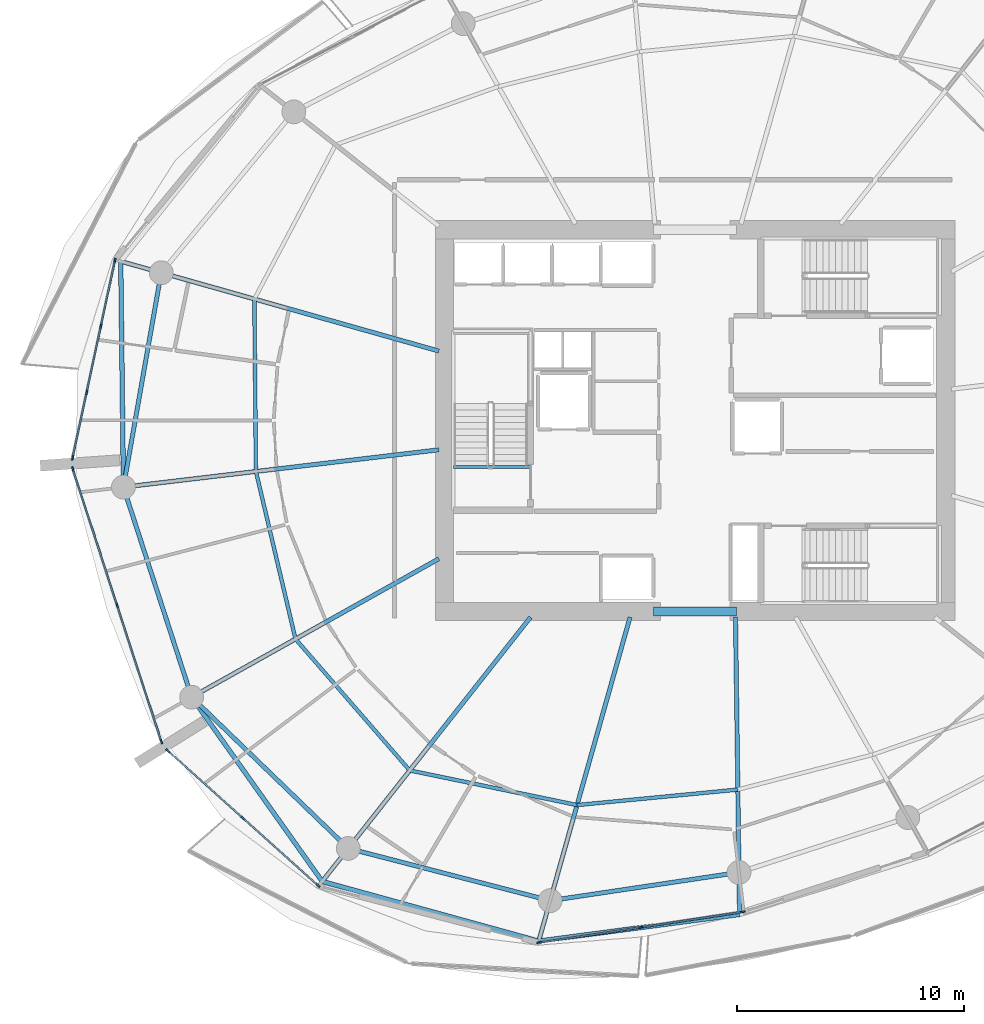
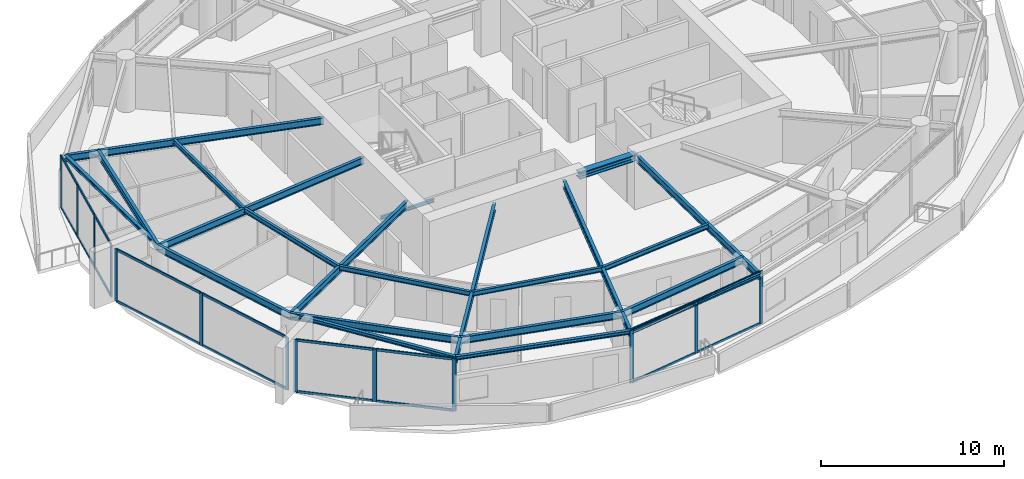
# One storey, part 5 of 20: 31 members, 22 beams, 4 elements without a shape of their own.
"""IFC4 building model written with IfcOpenShell, lengths in metres."""

from ifc_helpers import new_model, si_unit, direction, frame, origin, origin_2d, place, context, subcontext, project, spatial, rectangle, i_section, extrude, material, layer, layer_set, material_profile, profile_set, type_object, element, aggregate, save


model = new_model("IFC4")

# Units and contexts
model_context = context("Model", 3, precision=1e-05, world=origin(), true_north=direction((0.0, 1.0)))
body_context = subcontext(model_context, "Body", "Model", "MODEL_VIEW")
ifc_project = project(units=[si_unit("LENGTHUNIT", "METRE"), si_unit("AREAUNIT", "SQUARE_METRE"), si_unit("VOLUMEUNIT", "CUBIC_METRE"), si_unit("PLANEANGLEUNIT", "RADIAN"), si_unit("MASSUNIT", "GRAM", prefix="KILO")], contexts=[model_context])

# Site, building, storey
site_placement = place(None, origin())
site = spatial("IfcSite", under=ifc_project, at=site_placement, CompositionType="ELEMENT")
building_placement = place(site_placement, origin())
building = spatial("IfcBuilding", under=site, at=building_placement, Name="Kazma Halo Residences", CompositionType="ELEMENT")
storey_placement = place(building_placement, frame((0.0, 0.0, 131.550048828125)))
storey = spatial("IfcBuildingStorey", under=building, at=storey_placement, Name="L32", CompositionType="ELEMENT", Elevation=131.550048828125)

# Beams
ifc_material_1 = material(Name="Steel S355", Category="steel")
ifc_material_profile_1 = material_profile(ifc_material_1, i_section(OverallWidth=0.201904296875, OverallDepth=0.2470703125, WebThickness=0.00732421875, FlangeThickness=0.010986328125, FilletRadius=0.011962890625, at=origin_2d()), Name="W250x49.1")
ifc_profile_set_1 = profile_set([ifc_material_profile_1], Name="Steel S355")
beam_type_1 = type_object("IfcBeamType", Name="BM-BAL-CANT", PredefinedType="BEAM", material=ifc_profile_set_1)
beam_1_placement = place(storey_placement, frame((23.149658203125, 49.008544921875, 3.37646484375), z_axis=(0.011793371143, -0.99993045578, 0.0), x_axis=(0.99993045578, 0.011793371143, 0.0)))
element("IfcBeam", 1, at=beam_1_placement, inside=storey, type_object=beam_type_1, Name="L32 wave-balcony tie beam 07", PredefinedType="BEAM", context=body_context, shape_type="SweptSolid", body=[
    extrude(i_section(OverallWidth=0.201904296875, OverallDepth=0.2470703125, WebThickness=0.00732421875, FlangeThickness=0.010986328125, FilletRadius=0.011962890625, at=origin_2d()), origin(), (0.0, 0.0, 1.0), 9.936767578125),
])
beam_2_placement = place(storey_placement, frame((26.269775390625, 29.83056640625, 3.37646484375), z_axis=(0.578203432081, -0.81589263456, 0.0), x_axis=(0.81589263456, 0.578203432081, 0.0)))
element("IfcBeam", 2, at=beam_2_placement, inside=storey, type_object=beam_type_1, Name="L32 wave-balcony lead tie beam 09", PredefinedType="BEAM", context=body_context, shape_type="SweptSolid", body=[
    extrude(i_section(OverallWidth=0.201904296875, OverallDepth=0.2470703125, WebThickness=0.00732421875, FlangeThickness=0.010986328125, FilletRadius=0.011962890625, at=origin_2d()), origin(), (0.0, 0.0, 1.0), 9.9365234375),
])
beam_3_placement = place(storey_placement, frame((32.01513671875, 21.723388671875, 3.37646484375), z_axis=(0.964045237638, -0.265738179019, 0.0), x_axis=(0.265738179019, 0.964045237638, 0.0)))
element("IfcBeam", 3, at=beam_3_placement, inside=storey, type_object=beam_type_1, Name="L32 wave-balcony tie beam 10", PredefinedType="BEAM", context=body_context, shape_type="SweptSolid", body=[
    extrude(i_section(OverallWidth=0.201904296875, OverallDepth=0.2470703125, WebThickness=0.00732421875, FlangeThickness=0.010986328125, FilletRadius=0.011962890625, at=origin_2d()), origin(), (0.0, 0.0, 1.0), 9.880859375),
])
beam_4_placement = place(storey_placement, frame((41.540771484375, 19.09765625, 3.37646484375), z_axis=(0.991326402839, 0.13142284061, 0.0), x_axis=(-0.13142284061, 0.991326402839, 0.0)))
element("IfcBeam", 4, at=beam_4_placement, inside=storey, type_object=beam_type_1, Name="L32 wave-balcony tie beam 11", PredefinedType="BEAM", context=body_context, shape_type="SweptSolid", body=[
    extrude(i_section(OverallWidth=0.201904296875, OverallDepth=0.2470703125, WebThickness=0.00732421875, FlangeThickness=0.010986328125, FilletRadius=0.011962890625, at=origin_2d()), origin(), (0.0, 0.0, 1.0), 8.9150390625),
])
ifc_material_profile_2 = material_profile(ifc_material_1, i_section(OverallWidth=0.408935546875, OverallDepth=0.425048828125, WebThickness=0.03271484375, FlangeThickness=0.052490234375, FilletRadius=0.02001953125, at=origin_2d()), Name="W360x421")
ifc_profile_set_2 = profile_set([ifc_material_profile_2], Name="Steel S355")
beam_type_2 = type_object("IfcBeamType", Name="BM-CORE-W360H", PredefinedType="BEAM", material=ifc_profile_set_2)
beam_5_placement = place(storey_placement, frame((46.60009765625, 33.60009765625, 3.287353515625), z_axis=(1.0, 0.0, 0.0), x_axis=(0.0, 1.0, 0.0)))
element("IfcBeam", 5, at=beam_5_placement, inside=storey, type_object=beam_type_2, Name="L32 core coupling beam S", PredefinedType="BEAM", context=body_context, shape_type="SweptSolid", body=[
    extrude(i_section(OverallWidth=0.408935546875, OverallDepth=0.425048828125, WebThickness=0.03271484375, FlangeThickness=0.052490234375, FilletRadius=0.02001953125, at=origin_2d()), origin(), (0.0, 0.0, 1.0), 3.64990234375),
])
ifc_material_profile_3 = material_profile(ifc_material_1, i_section(OverallWidth=0.18994140625, OverallDepth=0.45703125, WebThickness=0.009033203125, FlangeThickness=0.014404296875, FilletRadius=0.01611328125, at=origin_2d()), Name="W460x74")
ifc_profile_set_3 = profile_set([ifc_material_profile_3], Name="Steel S355")
beam_type_3 = type_object("IfcBeamType", Name="BM-RAD-W460", PredefinedType="BEAM", material=ifc_profile_set_3)
beam_6_placement = place(storey_placement, frame((37.14990234375, 45.06005859375, 3.271484375), z_axis=(-0.962455072712, 0.271441030447, 0.0), x_axis=(-0.271441030447, -0.962455072712, 0.0)))
element("IfcBeam", 6, at=beam_6_placement, inside=storey, type_object=beam_type_3, Name="L32 radial floor beam 07", PredefinedType="BEAM", context=body_context, shape_type="SweptSolid", body=[
    extrude(i_section(OverallWidth=0.18994140625, OverallDepth=0.45703125, WebThickness=0.009033203125, FlangeThickness=0.014404296875, FilletRadius=0.01611328125, at=origin_2d()), origin(), (0.0, 0.0, 1.0), 14.54638671875),
])
beam_7_placement = place(storey_placement, frame((37.14990234375, 40.7158203125, 3.271484375), z_axis=(-0.993067267044, -0.117547450531, 0.0), x_axis=(0.117547450531, -0.993067267044, 0.0)))
element("IfcBeam", 7, at=beam_7_placement, inside=storey, type_object=beam_type_3, Name="L32 radial floor beam 08", PredefinedType="BEAM", context=body_context, shape_type="SweptSolid", body=[
    extrude(i_section(OverallWidth=0.18994140625, OverallDepth=0.45703125, WebThickness=0.009033203125, FlangeThickness=0.014404296875, FilletRadius=0.01611328125, at=origin_2d()), origin(), (0.0, 0.0, 1.0), 13.97998046875),
])
beam_8_placement = place(storey_placement, frame((37.14990234375, 35.923583984375, 3.271484375), z_axis=(-0.87250100809, -0.488612311431, 0.0), x_axis=(0.488612311431, -0.87250100809, 0.0)))
element("IfcBeam", 8, at=beam_8_placement, inside=storey, type_object=beam_type_3, Name="L32 radial floor beam 09", PredefinedType="BEAM", context=body_context, shape_type="SweptSolid", body=[
    extrude(i_section(OverallWidth=0.18994140625, OverallDepth=0.45703125, WebThickness=0.009033203125, FlangeThickness=0.014404296875, FilletRadius=0.01611328125, at=origin_2d()), origin(), (0.0, 0.0, 1.0), 12.469970703125),
])
beam_9_placement = place(storey_placement, frame((41.180908203125, 33.35009765625, 3.271484375), z_axis=(-0.619094498239, -0.785316498139, 0.0), x_axis=(0.785316498139, -0.619094498239, 0.0)))
element("IfcBeam", 9, at=beam_9_placement, inside=storey, type_object=beam_type_3, Name="L32 radial floor beam 10", PredefinedType="BEAM", context=body_context, shape_type="SweptSolid", body=[
    extrude(i_section(OverallWidth=0.18994140625, OverallDepth=0.45703125, WebThickness=0.009033203125, FlangeThickness=0.014404296875, FilletRadius=0.01611328125, at=origin_2d()), origin(), (0.0, 0.0, 1.0), 14.80517578125),
])
beam_10_placement = place(storey_placement, frame((45.560302734375, 33.35009765625, 3.271484375), z_axis=(-0.271435886816, -0.962456523355, 0.0), x_axis=(0.962456523355, -0.271435886816, 0.0)))
element("IfcBeam", 10, at=beam_10_placement, inside=storey, type_object=beam_type_3, Name="L32 radial floor beam 11", PredefinedType="BEAM", context=body_context, shape_type="SweptSolid", body=[
    extrude(i_section(OverallWidth=0.18994140625, OverallDepth=0.45703125, WebThickness=0.009033203125, FlangeThickness=0.014404296875, FilletRadius=0.01611328125, at=origin_2d()), origin(), (0.0, 0.0, 1.0), 14.808349609375),
])
beam_11_placement = place(storey_placement, frame((50.199951171875, 33.35009765625, 3.271484375), z_axis=(0.013642135434, -0.99990694174, 0.0), x_axis=(0.99990694174, 0.013642135434, 0.0)))
element("IfcBeam", 11, at=beam_11_placement, inside=storey, type_object=beam_type_3, Name="L32 radial floor beam 12", PredefinedType="BEAM", context=body_context, shape_type="SweptSolid", body=[
    extrude(i_section(OverallWidth=0.18994140625, OverallDepth=0.45703125, WebThickness=0.009033203125, FlangeThickness=0.014404296875, FilletRadius=0.01611328125, at=origin_2d()), origin(), (0.0, 0.0, 1.0), 13.08203125),
])
ifc_material_profile_4 = material_profile(ifc_material_1, i_section(OverallWidth=0.1650390625, OverallDepth=0.31005859375, WebThickness=0.005859375, FlangeThickness=0.009765625, FilletRadius=0.011962890625, at=origin_2d()), Name="W310x38.7")
ifc_profile_set_4 = profile_set([ifc_material_profile_4], Name="Steel S355")
beam_type_4 = type_object("IfcBeamType", Name="BM-SEC-W310B", PredefinedType="JOIST", material=ifc_profile_set_4)
beam_12_placement = place(storey_placement, frame((29.02978515625, 47.35009765625, 3.344970703125), z_axis=(0.008944876706, -0.99995999379, 0.0), x_axis=(0.99995999379, 0.008944876706, 0.0)))
element("IfcBeam", 12, at=beam_12_placement, inside=storey, type_object=beam_type_4, Name="L32 circumferential floor joist 07", PredefinedType="JOIST", context=body_context, shape_type="SweptSolid", body=[
    extrude(i_section(OverallWidth=0.1650390625, OverallDepth=0.31005859375, WebThickness=0.005859375, FlangeThickness=0.009765625, FilletRadius=0.011962890625, at=origin_2d()), origin(), (0.0, 0.0, 1.0), 7.587646484375),
])
beam_13_placement = place(storey_placement, frame((29.09765625, 39.7626953125, 3.344970703125), z_axis=(0.229897820601, -0.973214771817, 0.0), x_axis=(0.973214771817, 0.229897820601, 0.0)))
element("IfcBeam", 13, at=beam_13_placement, inside=storey, type_object=beam_type_4, Name="L32 circumferential floor joist 08", PredefinedType="JOIST", context=body_context, shape_type="SweptSolid", body=[
    extrude(i_section(OverallWidth=0.1650390625, OverallDepth=0.31005859375, WebThickness=0.005859375, FlangeThickness=0.009765625, FilletRadius=0.011962890625, at=origin_2d()), origin(), (0.0, 0.0, 1.0), 7.575927734375),
])
beam_14_placement = place(storey_placement, frame((30.83935546875, 32.3896484375, 3.344970703125), z_axis=(0.655935687589, -0.754816781575, 0.0), x_axis=(0.754816781575, 0.655935687589, 0.0)))
element("IfcBeam", 14, at=beam_14_placement, inside=storey, type_object=beam_type_4, Name="L32 circumferential floor joist 09", PredefinedType="JOIST", context=body_context, shape_type="SweptSolid", body=[
    extrude(i_section(OverallWidth=0.1650390625, OverallDepth=0.31005859375, WebThickness=0.005859375, FlangeThickness=0.009765625, FilletRadius=0.011962890625, at=origin_2d()), origin(), (0.0, 0.0, 1.0), 7.661376953125),
])
beam_15_placement = place(storey_placement, frame((35.86474609375, 26.606689453125, 3.344970703125), z_axis=(0.979272189631, -0.202548706773, 0.0), x_axis=(0.202548706773, 0.979272189631, 0.0)))
element("IfcBeam", 15, at=beam_15_placement, inside=storey, type_object=beam_type_4, Name="L32 circumferential floor joist 10", PredefinedType="JOIST", context=body_context, shape_type="SweptSolid", body=[
    extrude(i_section(OverallWidth=0.1650390625, OverallDepth=0.31005859375, WebThickness=0.005859375, FlangeThickness=0.009765625, FilletRadius=0.011962890625, at=origin_2d()), origin(), (0.0, 0.0, 1.0), 7.52001953125),
])
beam_16_placement = place(storey_placement, frame((43.22900390625, 25.08349609375, 3.344970703125), z_axis=(0.995416389983, 0.095635822539, 0.0), x_axis=(-0.095635822539, 0.995416389983, 0.0)))
element("IfcBeam", 16, at=beam_16_placement, inside=storey, type_object=beam_type_4, Name="L32 circumferential floor joist 11", PredefinedType="JOIST", context=body_context, shape_type="SweptSolid", body=[
    extrude(i_section(OverallWidth=0.1650390625, OverallDepth=0.31005859375, WebThickness=0.005859375, FlangeThickness=0.009765625, FilletRadius=0.011962890625, at=origin_2d()), origin(), (0.0, 0.0, 1.0), 7.10693359375),
])
ifc_material_profile_5 = material_profile(ifc_material_1, i_section(OverallWidth=0.18994140625, OverallDepth=0.45703125, WebThickness=0.009033203125, FlangeThickness=0.014404296875, FilletRadius=0.01611328125, at=origin_2d()), Name="W460x74")
ifc_profile_set_5 = profile_set([ifc_material_profile_5], Name="Steel S355")
beam_type_5 = type_object("IfcBeamType", Name="BM-SPN-W460", PredefinedType="BEAM", material=ifc_profile_set_5)
beam_17_placement = place(storey_placement, frame((24.93017578125, 48.50634765625, 3.271484375), z_axis=(-0.173637033425, -0.984809717978, 0.0), x_axis=(0.984809717978, -0.173637033425, 0.0)))
element("IfcBeam", 17, at=beam_17_placement, inside=storey, type_object=beam_type_5, Name="L32 perimeter ring beam 07", PredefinedType="BEAM", context=body_context, shape_type="SweptSolid", body=[
    extrude(i_section(OverallWidth=0.18994140625, OverallDepth=0.45703125, WebThickness=0.009033203125, FlangeThickness=0.014404296875, FilletRadius=0.01611328125, at=origin_2d()), origin(), (0.0, 0.0, 1.0), 9.579345703125),
])
beam_18_placement = place(storey_placement, frame((23.266845703125, 39.072509765625, 3.271484375), z_axis=(0.309020741629, -0.95105529873, 0.0), x_axis=(0.95105529873, 0.309020741629, 0.0)))
element("IfcBeam", 18, at=beam_18_placement, inside=storey, type_object=beam_type_5, Name="L32 perimeter ring beam 08", PredefinedType="BEAM", context=body_context, shape_type="SweptSolid", body=[
    extrude(i_section(OverallWidth=0.18994140625, OverallDepth=0.45703125, WebThickness=0.009033203125, FlangeThickness=0.014404296875, FilletRadius=0.01611328125, at=origin_2d()), origin(), (0.0, 0.0, 1.0), 9.717529296875),
])
beam_19_placement = place(storey_placement, frame((26.269775390625, 29.83056640625, 3.271484375), z_axis=(0.719334705845, -0.694663645923, 0.0), x_axis=(0.694663645923, 0.719334705845, 0.0)))
element("IfcBeam", 19, at=beam_19_placement, inside=storey, type_object=beam_type_5, Name="L32 perimeter ring beam 09", PredefinedType="BEAM", context=body_context, shape_type="SweptSolid", body=[
    extrude(i_section(OverallWidth=0.18994140625, OverallDepth=0.45703125, WebThickness=0.009033203125, FlangeThickness=0.014404296875, FilletRadius=0.01611328125, at=origin_2d()), origin(), (0.0, 0.0, 1.0), 9.5791015625),
])
beam_20_placement = place(storey_placement, frame((33.160400390625, 23.17626953125, 3.271484375), z_axis=(0.968123664213, -0.250472694699, 0.0), x_axis=(0.250472694699, 0.968123664213, 0.0)))
element("IfcBeam", 20, at=beam_20_placement, inside=storey, type_object=beam_type_5, Name="L32 perimeter ring beam 10", PredefinedType="BEAM", context=body_context, shape_type="SweptSolid", body=[
    extrude(i_section(OverallWidth=0.18994140625, OverallDepth=0.45703125, WebThickness=0.009033203125, FlangeThickness=0.014404296875, FilletRadius=0.01611328125, at=origin_2d()), origin(), (0.0, 0.0, 1.0), 9.175048828125),
])
beam_21_placement = place(storey_placement, frame((42.04296875, 20.878173828125, 3.271484375), z_axis=(0.989037147603, 0.147666924735, 0.0), x_axis=(-0.147666924735, 0.989037147603, 0.0)))
element("IfcBeam", 21, at=beam_21_placement, inside=storey, type_object=beam_type_5, Name="L32 perimeter ring beam 11", PredefinedType="BEAM", context=body_context, shape_type="SweptSolid", body=[
    extrude(i_section(OverallWidth=0.18994140625, OverallDepth=0.45703125, WebThickness=0.009033203125, FlangeThickness=0.014404296875, FilletRadius=0.01611328125, at=origin_2d()), origin(), (0.0, 0.0, 1.0), 8.402099609375),
])
ifc_material_profile_6 = material_profile(ifc_material_1, i_section(OverallWidth=0.133056640625, OverallDepth=0.20703125, WebThickness=0.005859375, FlangeThickness=0.00830078125, FilletRadius=0.010009765625, at=origin_2d()), Name="W200x26.6")
ifc_profile_set_6 = profile_set([ifc_material_profile_6], Name="Steel S355")
beam_type_6 = type_object("IfcBeamType", Name="BM-TRIM-W200", PredefinedType="BEAM", material=ifc_profile_set_6)
beam_22_placement = place(storey_placement, frame((37.800048828125, 39.949951171875, -0.360107421875), z_axis=(1.0, 0.0, 0.0), x_axis=(0.0, 1.0, 0.0)))
element("IfcBeam", 22, at=beam_22_placement, inside=storey, type_object=beam_type_6, Name="L32 ST-01 floor landing support beam", PredefinedType="BEAM", context=body_context, shape_type="SweptSolid", body=[
    extrude(i_section(OverallWidth=0.133056640625, OverallDepth=0.20703125, WebThickness=0.005859375, FlangeThickness=0.00830078125, FilletRadius=0.010009765625, at=origin_2d()), origin(), (0.0, 0.0, 1.0), 3.3798828125),
])

# Curtain wall, members
ifc_material_2 = material(Name="Aluminium AW-6063 T6 and Triple-Silver Low-E Glass", Category="aluminium")
ifc_layer = layer(ifc_material_2, 0.219970703125)
ifc_layer_set = layer_set([ifc_layer], Name="Aluminium AW-6063 T6 and Triple-Silver Low-E Glass")
curtain_wall_type = type_object("IfcCurtainWallType", Name="CW-SYS-4", PredefinedType="NOTDEFINED", material=ifc_layer_set)
curtain_wall_1_placement = place(storey_placement, origin())
curtain_wall_1 = element("IfcCurtainWall", 23, at=curtain_wall_1_placement, inside=storey, type_object=curtain_wall_type, Name="L32 unitised curtain wall B07", PredefinedType="NOTDEFINED")
ifc_material_3 = material(Name="Aluminium AW-6063 T6", Category="aluminium")
ifc_material_profile_7 = material_profile(ifc_material_3, rectangle(XDim=0.074951171875, YDim=0.219970703125, at=origin_2d()), Name="CWM-75x220")
ifc_profile_set_7 = profile_set([ifc_material_profile_7], Name="Aluminium AW-6063 T6")
member_type_1 = type_object("IfcMemberType", Name="CW-SYS-4-MUL", PredefinedType="MULLION", material=ifc_profile_set_7)
member_1_placement = place(storey_placement, frame((22.894775390625, 49.04150390625, 0.0), z_axis=(0.0, 0.0, 1.0), x_axis=(0.977764957684, -0.209703809037, 0.0)))
member_1 = element("IfcMember", 24, at=member_1_placement, type_object=member_type_1, Name="CWS-4 mullion 1", PredefinedType="MULLION", context=body_context, shape_type="SweptSolid", body=[
    extrude(rectangle(XDim=0.074951171875, YDim=0.219970703125, at=origin_2d()), origin(), (0.0, 0.0, 1.0), 3.5),
])
member_2_placement = place(storey_placement, frame((22.27685546875, 46.160888671875, 0.0), z_axis=(0.0, 0.0, 1.0), x_axis=(0.977764957684, -0.209703809037, 0.0)))
member_2 = element("IfcMember", 25, at=member_2_placement, type_object=member_type_1, Name="CWS-4 mullion 2", PredefinedType="MULLION", context=body_context, shape_type="SweptSolid", body=[
    extrude(rectangle(XDim=0.074951171875, YDim=0.219970703125, at=origin_2d()), origin(), (0.0, 0.0, 1.0), 3.5),
])
member_3_placement = place(storey_placement, frame((21.6513671875, 43.24365234375, 0.0), z_axis=(0.0, 0.0, 1.0), x_axis=(0.977764957684, -0.209703809037, 0.0)))
member_3 = element("IfcMember", 26, at=member_3_placement, type_object=member_type_1, Name="CWS-4 mullion 3", PredefinedType="MULLION", context=body_context, shape_type="SweptSolid", body=[
    extrude(rectangle(XDim=0.074951171875, YDim=0.219970703125, at=origin_2d()), origin(), (0.0, 0.0, 1.0), 3.5),
])
member_4_placement = place(storey_placement, frame((21.033447265625, 40.36328125, 0.0), z_axis=(0.0, 0.0, 1.0), x_axis=(0.977764957684, -0.209703809037, 0.0)))
member_4 = element("IfcMember", 27, at=member_4_placement, type_object=member_type_1, Name="CWS-4 mullion 4", PredefinedType="MULLION", context=body_context, shape_type="SweptSolid", body=[
    extrude(rectangle(XDim=0.074951171875, YDim=0.219970703125, at=origin_2d()), origin(), (0.0, 0.0, 1.0), 3.5),
])

curtain_wall_2_placement = place(storey_placement, origin())
curtain_wall_2 = element("IfcCurtainWall", 28, at=curtain_wall_2_placement, inside=storey, type_object=curtain_wall_type, Name="L32 unitised curtain wall B08", PredefinedType="NOTDEFINED")
member_5_placement = place(storey_placement, frame((21.044189453125, 39.86572265625, 0.0), z_axis=(0.0, 0.0, 1.0), x_axis=(0.951057547609, 0.3090138203, 0.0)))
member_5 = element("IfcMember", 29, at=member_5_placement, type_object=member_type_1, Name="CWS-4 mullion 1", PredefinedType="MULLION", context=body_context, shape_type="SweptSolid", body=[
    extrude(rectangle(XDim=0.074951171875, YDim=0.219970703125, at=origin_2d()), origin(), (0.0, 0.0, 1.0), 3.5),
])
member_6_placement = place(storey_placement, frame((22.990966796875, 33.8740234375, 0.0), z_axis=(0.0, 0.0, 1.0), x_axis=(0.951057547609, 0.3090138203, 0.0)))
member_6 = element("IfcMember", 30, at=member_6_placement, type_object=member_type_1, Name="CWS-4 mullion 2", PredefinedType="MULLION", context=body_context, shape_type="SweptSolid", body=[
    extrude(rectangle(XDim=0.074951171875, YDim=0.219970703125, at=origin_2d()), origin(), (0.0, 0.0, 1.0), 3.5),
])
member_7_placement = place(storey_placement, frame((24.937744140625, 27.882568359375, 0.0), z_axis=(0.0, 0.0, 1.0), x_axis=(0.951057547609, 0.3090138203, 0.0)))
member_7 = element("IfcMember", 31, at=member_7_placement, type_object=member_type_1, Name="CWS-4 mullion 3", PredefinedType="MULLION", context=body_context, shape_type="SweptSolid", body=[
    extrude(rectangle(XDim=0.074951171875, YDim=0.219970703125, at=origin_2d()), origin(), (0.0, 0.0, 1.0), 3.5),
])

curtain_wall_3_placement = place(storey_placement, origin())
curtain_wall_3 = element("IfcCurtainWall", 32, at=curtain_wall_3_placement, inside=storey, type_object=curtain_wall_type, Name="L32 unitised curtain wall B09", PredefinedType="NOTDEFINED")
member_8_placement = place(storey_placement, frame((25.221435546875, 27.4736328125, 0.0), z_axis=(0.0, 0.0, 1.0), x_axis=(0.667770096247, 0.744367582957, 0.0)))
member_8 = element("IfcMember", 33, at=member_8_placement, type_object=member_type_1, Name="CWS-4 mullion 1", PredefinedType="MULLION", context=body_context, shape_type="SweptSolid", body=[
    extrude(rectangle(XDim=0.074951171875, YDim=0.219970703125, at=origin_2d()), origin(), (0.0, 0.0, 1.0), 3.5),
])
member_9_placement = place(storey_placement, frame((28.52490234375, 24.51025390625, 0.0), z_axis=(0.0, 0.0, 1.0), x_axis=(0.667770096247, 0.744367582957, 0.0)))
member_9 = element("IfcMember", 34, at=member_9_placement, type_object=member_type_1, Name="CWS-4 mullion 2", PredefinedType="MULLION", context=body_context, shape_type="SweptSolid", body=[
    extrude(rectangle(XDim=0.074951171875, YDim=0.219970703125, at=origin_2d()), origin(), (0.0, 0.0, 1.0), 3.5),
])
member_10_placement = place(storey_placement, frame((31.828369140625, 21.546630859375, 0.0), z_axis=(0.0, 0.0, 1.0), x_axis=(0.667770096247, 0.744367582957, 0.0)))
member_10 = element("IfcMember", 35, at=member_10_placement, type_object=member_type_1, Name="CWS-4 mullion 3", PredefinedType="MULLION", context=body_context, shape_type="SweptSolid", body=[
    extrude(rectangle(XDim=0.074951171875, YDim=0.219970703125, at=origin_2d()), origin(), (0.0, 0.0, 1.0), 3.5),
])

curtain_wall_4_placement = place(storey_placement, origin())
curtain_wall_4 = element("IfcCurtainWall", 36, at=curtain_wall_4_placement, inside=storey, type_object=curtain_wall_type, Name="L32 unitised curtain wall B11", PredefinedType="NOTDEFINED")
member_11_placement = place(storey_placement, frame((41.559326171875, 19.037109375, 0.0), z_axis=(0.0, 0.0, 1.0), x_axis=(-0.148821022686, 0.988864148004, 0.0)))
member_11 = element("IfcMember", 37, at=member_11_placement, type_object=member_type_1, Name="CWS-4 mullion 1", PredefinedType="MULLION", context=body_context, shape_type="SweptSolid", body=[
    extrude(rectangle(XDim=0.074951171875, YDim=0.219970703125, at=origin_2d()), origin(), (0.0, 0.0, 1.0), 3.5),
])
member_12_placement = place(storey_placement, frame((46.039794921875, 19.71142578125, 0.0), z_axis=(0.0, 0.0, 1.0), x_axis=(-0.148821022686, 0.988864148004, 0.0)))
member_12 = element("IfcMember", 38, at=member_12_placement, type_object=member_type_1, Name="CWS-4 mullion 2", PredefinedType="MULLION", context=body_context, shape_type="SweptSolid", body=[
    extrude(rectangle(XDim=0.074951171875, YDim=0.219970703125, at=origin_2d()), origin(), (0.0, 0.0, 1.0), 3.5),
])
member_13_placement = place(storey_placement, frame((50.5205078125, 20.3857421875, 0.0), z_axis=(0.0, 0.0, 1.0), x_axis=(-0.148821022686, 0.988864148004, 0.0)))
member_13 = element("IfcMember", 39, at=member_13_placement, type_object=member_type_1, Name="CWS-4 mullion 3", PredefinedType="MULLION", context=body_context, shape_type="SweptSolid", body=[
    extrude(rectangle(XDim=0.074951171875, YDim=0.219970703125, at=origin_2d()), origin(), (0.0, 0.0, 1.0), 3.5),
])

# Member
ifc_material_profile_8 = material_profile(ifc_material_3, rectangle(XDim=0.074951171875, YDim=0.1650390625, at=origin_2d()), Name="CWT-75x165")
ifc_profile_set_8 = profile_set([ifc_material_profile_8], Name="Aluminium AW-6063 T6")
member_type_2 = type_object("IfcMemberType", Name="CW-SYS-4-TRN", PredefinedType="USERDEFINED", material=ifc_profile_set_8)
member_14_placement = place(storey_placement, frame((22.886962890625, 49.0048828125, 0.037353515625), z_axis=(-0.209703309269, -0.977765064871, 0.0), x_axis=(0.977765064871, -0.209703309269, 0.0)))
member_14 = element("IfcMember", 40, at=member_14_placement, type_object=member_type_2, Name="CWS-4 transom 1.1", ObjectType="TRANSOM", PredefinedType="USERDEFINED", context=body_context, shape_type="SweptSolid", body=[
    extrude(rectangle(XDim=0.074951171875, YDim=0.1650390625, at=origin_2d()), origin(), (0.0, 0.0, 1.0), 2.870849609375),
])

member_15_placement = place(storey_placement, frame((22.886962890625, 49.0048828125, 3.46240234375), z_axis=(-0.209703309269, -0.977765064871, 0.0), x_axis=(0.977765064871, -0.209703309269, 0.0)))
member_15 = element("IfcMember", 41, at=member_15_placement, type_object=member_type_2, Name="CWS-4 transom 1.2", ObjectType="TRANSOM", PredefinedType="USERDEFINED", context=body_context, shape_type="SweptSolid", body=[
    extrude(rectangle(XDim=0.074951171875, YDim=0.1650390625, at=origin_2d()), origin(), (0.0, 0.0, 1.0), 2.870849609375),
])

member_16_placement = place(storey_placement, frame((22.26904296875, 46.124267578125, 0.037353515625), z_axis=(-0.209689601293, -0.977768004748, 0.0), x_axis=(0.977768004748, -0.209689601293, 0.0)))
member_16 = element("IfcMember", 42, at=member_16_placement, type_object=member_type_2, Name="CWS-4 transom 2.1", ObjectType="TRANSOM", PredefinedType="USERDEFINED", context=body_context, shape_type="SweptSolid", body=[
    extrude(rectangle(XDim=0.074951171875, YDim=0.1650390625, at=origin_2d()), origin(), (0.0, 0.0, 1.0), 2.908447265625),
])

member_17_placement = place(storey_placement, frame((22.26904296875, 46.124267578125, 3.46240234375), z_axis=(-0.209689601293, -0.977768004748, 0.0), x_axis=(0.977768004748, -0.209689601293, 0.0)))
member_17 = element("IfcMember", 43, at=member_17_placement, type_object=member_type_2, Name="CWS-4 transom 2.2", ObjectType="TRANSOM", PredefinedType="USERDEFINED", context=body_context, shape_type="SweptSolid", body=[
    extrude(rectangle(XDim=0.074951171875, YDim=0.1650390625, at=origin_2d()), origin(), (0.0, 0.0, 1.0), 2.908447265625),
])

member_18_placement = place(storey_placement, frame((21.643310546875, 43.20703125, 0.037353515625), z_axis=(-0.209703309269, -0.977765064871, 0.0), x_axis=(0.977765064871, -0.209703309269, 0.0)))
member_18 = element("IfcMember", 44, at=member_18_placement, type_object=member_type_2, Name="CWS-4 transom 3.1", ObjectType="TRANSOM", PredefinedType="USERDEFINED", context=body_context, shape_type="SweptSolid", body=[
    extrude(rectangle(XDim=0.074951171875, YDim=0.1650390625, at=origin_2d()), origin(), (0.0, 0.0, 1.0), 2.870849609375),
])

member_19_placement = place(storey_placement, frame((21.643310546875, 43.20703125, 3.46240234375), z_axis=(-0.209703309269, -0.977765064871, 0.0), x_axis=(0.977765064871, -0.209703309269, 0.0)))
member_19 = element("IfcMember", 45, at=member_19_placement, type_object=member_type_2, Name="CWS-4 transom 3.2", ObjectType="TRANSOM", PredefinedType="USERDEFINED", context=body_context, shape_type="SweptSolid", body=[
    extrude(rectangle(XDim=0.074951171875, YDim=0.1650390625, at=origin_2d()), origin(), (0.0, 0.0, 1.0), 2.870849609375),
])

aggregate(curtain_wall_1, [member_1, member_2, member_3, member_4, member_14, member_15, member_16, member_17, member_18, member_19])

member_20_placement = place(storey_placement, frame((21.0556640625, 39.830078125, 0.037353515625), z_axis=(0.309006258762, -0.95106000444, 0.0), x_axis=(0.95106000444, 0.309006258762, 0.0)))
member_20 = element("IfcMember", 46, at=member_20_placement, type_object=member_type_2, Name="CWS-4 transom 1.1", ObjectType="TRANSOM", PredefinedType="USERDEFINED", context=body_context, shape_type="SweptSolid", body=[
    extrude(rectangle(XDim=0.074951171875, YDim=0.1650390625, at=origin_2d()), origin(), (0.0, 0.0, 1.0), 6.22509765625),
])

member_21_placement = place(storey_placement, frame((21.0556640625, 39.830078125, 3.46240234375), z_axis=(0.309006258762, -0.95106000444, 0.0), x_axis=(0.95106000444, 0.309006258762, 0.0)))
member_21 = element("IfcMember", 47, at=member_21_placement, type_object=member_type_2, Name="CWS-4 transom 1.2", ObjectType="TRANSOM", PredefinedType="USERDEFINED", context=body_context, shape_type="SweptSolid", body=[
    extrude(rectangle(XDim=0.074951171875, YDim=0.1650390625, at=origin_2d()), origin(), (0.0, 0.0, 1.0), 6.22509765625),
])

member_22_placement = place(storey_placement, frame((23.00244140625, 33.83837890625, 0.037353515625), z_axis=(0.309017784977, -0.951056259413, 0.0), x_axis=(0.951056259413, 0.309017784977, 0.0)))
member_22 = element("IfcMember", 48, at=member_22_placement, type_object=member_type_2, Name="CWS-4 transom 2.1", ObjectType="TRANSOM", PredefinedType="USERDEFINED", context=body_context, shape_type="SweptSolid", body=[
    extrude(rectangle(XDim=0.074951171875, YDim=0.1650390625, at=origin_2d()), origin(), (0.0, 0.0, 1.0), 6.224853515625),
])

member_23_placement = place(storey_placement, frame((23.00244140625, 33.83837890625, 3.46240234375), z_axis=(0.309017784977, -0.951056259413, 0.0), x_axis=(0.951056259413, 0.309017784977, 0.0)))
member_23 = element("IfcMember", 49, at=member_23_placement, type_object=member_type_2, Name="CWS-4 transom 2.2", ObjectType="TRANSOM", PredefinedType="USERDEFINED", context=body_context, shape_type="SweptSolid", body=[
    extrude(rectangle(XDim=0.074951171875, YDim=0.1650390625, at=origin_2d()), origin(), (0.0, 0.0, 1.0), 6.224853515625),
])

aggregate(curtain_wall_2, [member_5, member_6, member_7, member_20, member_21, member_22, member_23])

member_24_placement = place(storey_placement, frame((25.24951171875, 27.44873046875, 0.037353515625), z_axis=(0.744344978888, -0.66779529229, 0.0), x_axis=(0.66779529229, 0.744344978888, 0.0)))
member_24 = element("IfcMember", 50, at=member_24_placement, type_object=member_type_2, Name="CWS-4 transom 1.1", ObjectType="TRANSOM", PredefinedType="USERDEFINED", context=body_context, shape_type="SweptSolid", body=[
    extrude(rectangle(XDim=0.074951171875, YDim=0.1650390625, at=origin_2d()), origin(), (0.0, 0.0, 1.0), 4.363037109375),
])

member_25_placement = place(storey_placement, frame((25.24951171875, 27.44873046875, 3.46240234375), z_axis=(0.744344978888, -0.66779529229, 0.0), x_axis=(0.66779529229, 0.744344978888, 0.0)))
member_25 = element("IfcMember", 51, at=member_25_placement, type_object=member_type_2, Name="CWS-4 transom 1.2", ObjectType="TRANSOM", PredefinedType="USERDEFINED", context=body_context, shape_type="SweptSolid", body=[
    extrude(rectangle(XDim=0.074951171875, YDim=0.1650390625, at=origin_2d()), origin(), (0.0, 0.0, 1.0), 4.363037109375),
])

member_26_placement = place(storey_placement, frame((28.552734375, 24.485107421875, 0.037353515625), z_axis=(0.744372794017, -0.667764287401, 0.0), x_axis=(0.667764287401, 0.744372794017, 0.0)))
member_26 = element("IfcMember", 52, at=member_26_placement, type_object=member_type_2, Name="CWS-4 transom 2.1", ObjectType="TRANSOM", PredefinedType="USERDEFINED", context=body_context, shape_type="SweptSolid", body=[
    extrude(rectangle(XDim=0.074951171875, YDim=0.1650390625, at=origin_2d()), origin(), (0.0, 0.0, 1.0), 4.36279296875),
])

member_27_placement = place(storey_placement, frame((28.552734375, 24.485107421875, 3.46240234375), z_axis=(0.744372794017, -0.667764287401, 0.0), x_axis=(0.667764287401, 0.744372794017, 0.0)))
member_27 = element("IfcMember", 53, at=member_27_placement, type_object=member_type_2, Name="CWS-4 transom 2.2", ObjectType="TRANSOM", PredefinedType="USERDEFINED", context=body_context, shape_type="SweptSolid", body=[
    extrude(rectangle(XDim=0.074951171875, YDim=0.1650390625, at=origin_2d()), origin(), (0.0, 0.0, 1.0), 4.36279296875),
])

aggregate(curtain_wall_3, [member_8, member_9, member_10, member_24, member_25, member_26, member_27])

member_28_placement = place(storey_placement, frame((41.596435546875, 19.042724609375, 0.037353515625), z_axis=(0.988866721231, 0.148803923478, 0.0), x_axis=(-0.148803923478, 0.988866721231, 0.0)))
member_28 = element("IfcMember", 54, at=member_28_placement, type_object=member_type_2, Name="CWS-4 transom 1.1", ObjectType="TRANSOM", PredefinedType="USERDEFINED", context=body_context, shape_type="SweptSolid", body=[
    extrude(rectangle(XDim=0.074951171875, YDim=0.1650390625, at=origin_2d()), origin(), (0.0, 0.0, 1.0), 4.4560546875),
])

member_29_placement = place(storey_placement, frame((41.596435546875, 19.042724609375, 3.46240234375), z_axis=(0.988866721231, 0.148803923478, 0.0), x_axis=(-0.148803923478, 0.988866721231, 0.0)))
member_29 = element("IfcMember", 55, at=member_29_placement, type_object=member_type_2, Name="CWS-4 transom 1.2", ObjectType="TRANSOM", PredefinedType="USERDEFINED", context=body_context, shape_type="SweptSolid", body=[
    extrude(rectangle(XDim=0.074951171875, YDim=0.1650390625, at=origin_2d()), origin(), (0.0, 0.0, 1.0), 4.4560546875),
])

member_30_placement = place(storey_placement, frame((46.076904296875, 19.717041015625, 0.037353515625), z_axis=(0.988866721231, 0.148803923478, 0.0), x_axis=(-0.148803923478, 0.988866721231, 0.0)))
member_30 = element("IfcMember", 56, at=member_30_placement, type_object=member_type_2, Name="CWS-4 transom 2.1", ObjectType="TRANSOM", PredefinedType="USERDEFINED", context=body_context, shape_type="SweptSolid", body=[
    extrude(rectangle(XDim=0.074951171875, YDim=0.1650390625, at=origin_2d()), origin(), (0.0, 0.0, 1.0), 4.4560546875),
])

member_31_placement = place(storey_placement, frame((46.076904296875, 19.717041015625, 3.46240234375), z_axis=(0.988866721231, 0.148803923478, 0.0), x_axis=(-0.148803923478, 0.988866721231, 0.0)))
member_31 = element("IfcMember", 57, at=member_31_placement, type_object=member_type_2, Name="CWS-4 transom 2.2", ObjectType="TRANSOM", PredefinedType="USERDEFINED", context=body_context, shape_type="SweptSolid", body=[
    extrude(rectangle(XDim=0.074951171875, YDim=0.1650390625, at=origin_2d()), origin(), (0.0, 0.0, 1.0), 4.4560546875),
])

aggregate(curtain_wall_4, [member_11, member_12, member_13, member_28, member_29, member_30, member_31])

save(model, "model.ifc")
